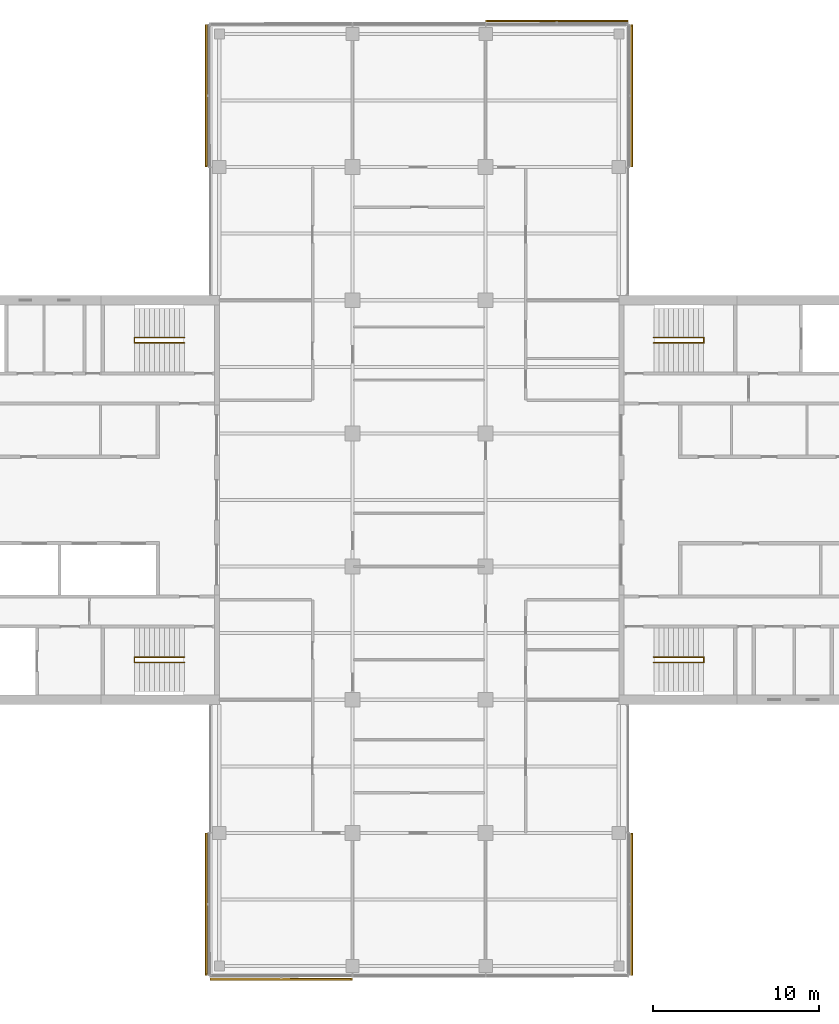
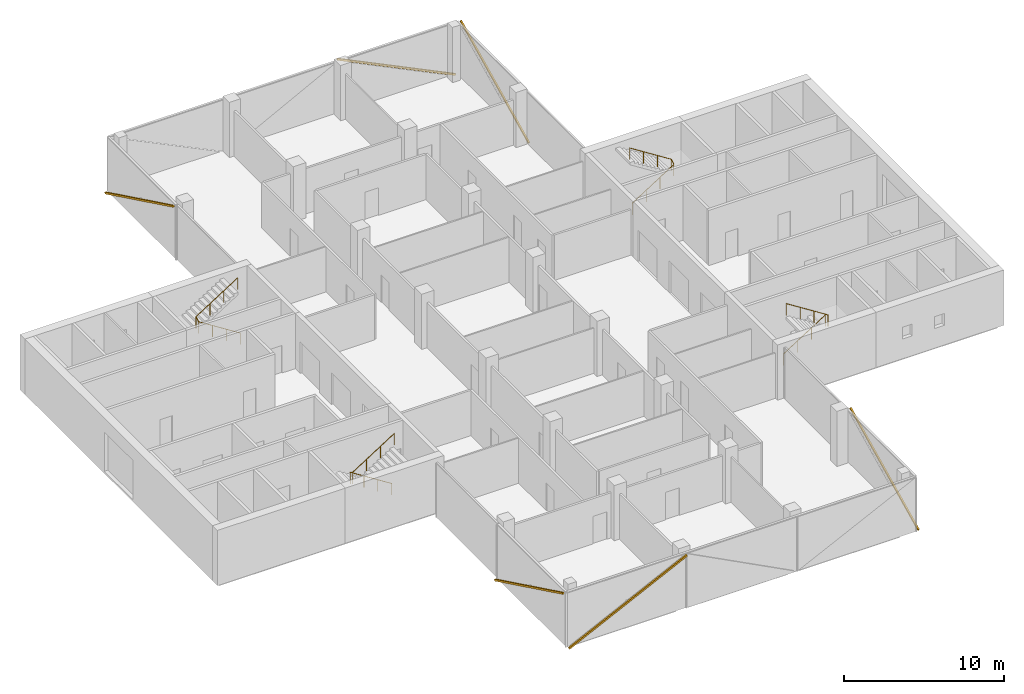
# One storey, part 15 of 15: 6 shading devices, 4 railings, 6 elements without a shape of their own.
"""IFC4 building model written with IfcOpenShell, lengths in metres."""

from ifc_helpers import new_model, si_unit, direction, frame, origin, origin_2d, place, context, subcontext, project, spatial, rectangle, circle, extrude, material, material_profile, profile_set, type_object, element, aggregate, save


model = new_model("IFC4")

# Units and contexts
model_context = context("Model", 3, precision=1e-05, world=origin(), true_north=direction((0.0, 1.0)))
body_context = subcontext(model_context, "Body", "Model", "MODEL_VIEW")
ifc_project = project(units=[si_unit("LENGTHUNIT", "METRE"), si_unit("AREAUNIT", "SQUARE_METRE"), si_unit("VOLUMEUNIT", "CUBIC_METRE"), si_unit("PLANEANGLEUNIT", "RADIAN"), si_unit("MASSUNIT", "GRAM", prefix="KILO")], contexts=[model_context])

# Site, building, storey
site_placement = place(None, origin())
site = spatial("IfcSite", under=ifc_project, at=site_placement, CompositionType="ELEMENT")
building_placement = place(site_placement, origin())
building = spatial("IfcBuilding", under=site, at=building_placement, Name="Crosswind Convention Tower", CompositionType="ELEMENT")
storey_placement = place(building_placement, frame((0.0, 0.0, 199.89990234375)))
storey = spatial("IfcBuildingStorey", under=building, at=storey_placement, Name="L42", CompositionType="ELEMENT", Elevation=199.89990234375)

# Railings
ifc_material_1 = material(Name="Stainless steel", Category="steel")
railing_type = type_object("IfcRailingType", Name="Stair handrail 900", PredefinedType="HANDRAIL", material=ifc_material_1)
railing_1_placement = place(storey_placement, frame((139.10009765625, 109.43994140625, 0.19091796875)))
element("IfcRailing", 1, at=railing_1_placement, inside=storey, type_object=railing_type, Name="Stair ST1 handrail L42", PredefinedType="HANDRAIL", context=body_context, shape_type="SweptSolid", body=[
    extrude(circle(Radius=0.02392578125, at=origin_2d()), frame((0.0, 0.0, 0.8759765625), z_axis=(0.843650179428, 0.0, 0.536893261973), x_axis=(0.0, 1.0, 0.0)), (0.0, 0.0, 1.0), 3.555908203125),
    extrude(circle(Radius=0.02392578125, at=origin_2d()), frame((3.0, 0.0, 2.78515625), z_axis=(0.0, 0.858819504967, 0.512278301208), x_axis=(-1.0, 0.0, 0.0)), (0.0, 0.0, 1.0), 0.372802734375),
    extrude(circle(Radius=0.02392578125, at=origin_2d()), frame((3.0, 0.320068359375, 2.97607421875), z_axis=(-0.843650179428, 0.0, 0.536893261973), x_axis=(0.0, -1.0, 0.0)), (0.0, 0.0, 1.0), 3.555908203125),
    extrude(circle(Radius=0.02099609375, at=origin_2d()), origin(), (0.0, 0.0, 1.0), 0.851806640625),
    extrude(circle(Radius=0.02099609375, at=origin_2d()), frame((1.0, 0.0, 0.636474609375)), (0.0, 0.0, 1.0), 0.851806640625),
    extrude(circle(Radius=0.02099609375, at=origin_2d()), frame((2.0, 0.0, 1.272705078125)), (0.0, 0.0, 1.0), 0.851806640625),
    extrude(circle(Radius=0.02099609375, at=origin_2d()), frame((3.0, 0.0, 1.9091796875)), (0.0, 0.0, 1.0), 0.851806640625),
    extrude(circle(Radius=0.02099609375, at=origin_2d()), frame((3.0, 0.320068359375, 2.10009765625)), (0.0, 0.0, 1.0), 0.851806640625),
    extrude(circle(Radius=0.02099609375, at=origin_2d()), frame((2.0, 0.320068359375, 2.736572265625)), (0.0, 0.0, 1.0), 0.851806640625),
    extrude(circle(Radius=0.02099609375, at=origin_2d()), frame((1.0, 0.320068359375, 3.372802734375)), (0.0, 0.0, 1.0), 0.851806640625),
    extrude(circle(Radius=0.02099609375, at=origin_2d()), frame((0.0, 0.320068359375, 4.00927734375)), (0.0, 0.0, 1.0), 0.851806640625),
])
railing_2_placement = place(storey_placement, frame((139.10009765625, 90.56005859375, 0.19091796875)))
element("IfcRailing", 2, at=railing_2_placement, inside=storey, type_object=railing_type, Name="Stair ST2 handrail L42", PredefinedType="HANDRAIL", context=body_context, shape_type="SweptSolid", body=[
    extrude(circle(Radius=0.02392578125, at=origin_2d()), frame((0.0, 0.0, 0.8759765625), z_axis=(0.843650179428, 0.0, 0.536893261973), x_axis=(0.0, 1.0, 0.0)), (0.0, 0.0, 1.0), 3.555908203125),
    extrude(circle(Radius=0.02392578125, at=origin_2d()), frame((3.0, 0.0, 2.78515625), z_axis=(0.0, -0.858819504967, 0.512278301208), x_axis=(1.0, 0.0, 0.0)), (0.0, 0.0, 1.0), 0.372802734375),
    extrude(circle(Radius=0.02392578125, at=origin_2d()), frame((3.0, -0.320068359375, 2.97607421875), z_axis=(-0.843650179428, 0.0, 0.536893261973), x_axis=(0.0, -1.0, 0.0)), (0.0, 0.0, 1.0), 3.555908203125),
    extrude(circle(Radius=0.02099609375, at=origin_2d()), origin(), (0.0, 0.0, 1.0), 0.851806640625),
    extrude(circle(Radius=0.02099609375, at=origin_2d()), frame((1.0, 0.0, 0.636474609375)), (0.0, 0.0, 1.0), 0.851806640625),
    extrude(circle(Radius=0.02099609375, at=origin_2d()), frame((2.0, 0.0, 1.272705078125)), (0.0, 0.0, 1.0), 0.851806640625),
    extrude(circle(Radius=0.02099609375, at=origin_2d()), frame((3.0, 0.0, 1.9091796875)), (0.0, 0.0, 1.0), 0.851806640625),
    extrude(circle(Radius=0.02099609375, at=origin_2d()), frame((3.0, -0.320068359375, 2.10009765625)), (0.0, 0.0, 1.0), 0.851806640625),
    extrude(circle(Radius=0.02099609375, at=origin_2d()), frame((2.0, -0.320068359375, 2.736572265625)), (0.0, 0.0, 1.0), 0.851806640625),
    extrude(circle(Radius=0.02099609375, at=origin_2d()), frame((1.0, -0.320068359375, 3.372802734375)), (0.0, 0.0, 1.0), 0.851806640625),
    extrude(circle(Radius=0.02099609375, at=origin_2d()), frame((0.0, -0.320068359375, 4.00927734375)), (0.0, 0.0, 1.0), 0.851806640625),
])
railing_3_placement = place(storey_placement, frame((110.89990234375, 90.56005859375, 0.19091796875)))
element("IfcRailing", 3, at=railing_3_placement, inside=storey, type_object=railing_type, Name="Stair ST3 handrail L42", PredefinedType="HANDRAIL", context=body_context, shape_type="SweptSolid", body=[
    extrude(circle(Radius=0.02392578125, at=origin_2d()), frame((0.0, 0.0, 0.8759765625), z_axis=(-0.843650179428, 0.0, 0.536893261973), x_axis=(0.0, -1.0, 0.0)), (0.0, 0.0, 1.0), 3.555908203125),
    extrude(circle(Radius=0.02392578125, at=origin_2d()), frame((-3.0, 0.0, 2.78515625), z_axis=(0.0, -0.858819504967, 0.512278301208), x_axis=(1.0, 0.0, 0.0)), (0.0, 0.0, 1.0), 0.372802734375),
    extrude(circle(Radius=0.02392578125, at=origin_2d()), frame((-3.0, -0.320068359375, 2.97607421875), z_axis=(0.843650179428, 0.0, 0.536893261973), x_axis=(0.0, 1.0, 0.0)), (0.0, 0.0, 1.0), 3.555908203125),
    extrude(circle(Radius=0.02099609375, at=origin_2d()), origin(), (0.0, 0.0, 1.0), 0.851806640625),
    extrude(circle(Radius=0.02099609375, at=origin_2d()), frame((-1.0, 0.0, 0.636474609375)), (0.0, 0.0, 1.0), 0.851806640625),
    extrude(circle(Radius=0.02099609375, at=origin_2d()), frame((-2.0, 0.0, 1.272705078125)), (0.0, 0.0, 1.0), 0.851806640625),
    extrude(circle(Radius=0.02099609375, at=origin_2d()), frame((-3.0, 0.0, 1.9091796875)), (0.0, 0.0, 1.0), 0.851806640625),
    extrude(circle(Radius=0.02099609375, at=origin_2d()), frame((-3.0, -0.320068359375, 2.10009765625)), (0.0, 0.0, 1.0), 0.851806640625),
    extrude(circle(Radius=0.02099609375, at=origin_2d()), frame((-2.0, -0.320068359375, 2.736572265625)), (0.0, 0.0, 1.0), 0.851806640625),
    extrude(circle(Radius=0.02099609375, at=origin_2d()), frame((-1.0, -0.320068359375, 3.372802734375)), (0.0, 0.0, 1.0), 0.851806640625),
    extrude(circle(Radius=0.02099609375, at=origin_2d()), frame((0.0, -0.320068359375, 4.00927734375)), (0.0, 0.0, 1.0), 0.851806640625),
])
railing_4_placement = place(storey_placement, frame((110.89990234375, 109.43994140625, 0.19091796875)))
element("IfcRailing", 4, at=railing_4_placement, inside=storey, type_object=railing_type, Name="Stair ST4 handrail L42", PredefinedType="HANDRAIL", context=body_context, shape_type="SweptSolid", body=[
    extrude(circle(Radius=0.02392578125, at=origin_2d()), frame((0.0, 0.0, 0.8759765625), z_axis=(-0.843650179428, 0.0, 0.536893261973), x_axis=(0.0, -1.0, 0.0)), (0.0, 0.0, 1.0), 3.555908203125),
    extrude(circle(Radius=0.02392578125, at=origin_2d()), frame((-3.0, 0.0, 2.78515625), z_axis=(0.0, 0.858819504967, 0.512278301208), x_axis=(-1.0, 0.0, 0.0)), (0.0, 0.0, 1.0), 0.372802734375),
    extrude(circle(Radius=0.02392578125, at=origin_2d()), frame((-3.0, 0.320068359375, 2.97607421875), z_axis=(0.843650179428, 0.0, 0.536893261973), x_axis=(0.0, 1.0, 0.0)), (0.0, 0.0, 1.0), 3.555908203125),
    extrude(circle(Radius=0.02099609375, at=origin_2d()), origin(), (0.0, 0.0, 1.0), 0.851806640625),
    extrude(circle(Radius=0.02099609375, at=origin_2d()), frame((-1.0, 0.0, 0.636474609375)), (0.0, 0.0, 1.0), 0.851806640625),
    extrude(circle(Radius=0.02099609375, at=origin_2d()), frame((-2.0, 0.0, 1.272705078125)), (0.0, 0.0, 1.0), 0.851806640625),
    extrude(circle(Radius=0.02099609375, at=origin_2d()), frame((-3.0, 0.0, 1.9091796875)), (0.0, 0.0, 1.0), 0.851806640625),
    extrude(circle(Radius=0.02099609375, at=origin_2d()), frame((-3.0, 0.320068359375, 2.10009765625)), (0.0, 0.0, 1.0), 0.851806640625),
    extrude(circle(Radius=0.02099609375, at=origin_2d()), frame((-2.0, 0.320068359375, 2.736572265625)), (0.0, 0.0, 1.0), 0.851806640625),
    extrude(circle(Radius=0.02099609375, at=origin_2d()), frame((-1.0, 0.320068359375, 3.372802734375)), (0.0, 0.0, 1.0), 0.851806640625),
    extrude(circle(Radius=0.02099609375, at=origin_2d()), frame((0.0, 0.320068359375, 4.00927734375)), (0.0, 0.0, 1.0), 0.851806640625),
])

# Curtain wall, shading device
ifc_material_2 = material(Name="Aluminium unitised curtain wall", Category="aluminium")
curtain_wall_type = type_object("IfcCurtainWallType", Name="OFFICE UNITISED WALL 220", PredefinedType="USERDEFINED", material=ifc_material_2)
curtain_wall_1_placement = place(storey_placement, origin())
curtain_wall_1 = element("IfcCurtainWall", 5, at=curtain_wall_1_placement, inside=storey, type_object=curtain_wall_type, Name="CW3 L42 N-E 1", ObjectType="UNITISED", PredefinedType="USERDEFINED")
ifc_material_3 = material(Name="Extruded terracotta", Category="masonry")
ifc_material_profile = material_profile(ifc_material_3, rectangle(XDim=0.110107421875, YDim=0.1298828125, at=origin_2d()), Name="TC 110X130")
ifc_profile_set = profile_set([ifc_material_profile], Name="Extruded terracotta")
shading_device_type = type_object("IfcShadingDeviceType", Name="TERRACOTTA BAGUETTE 130X110", PredefinedType="USERDEFINED", material=ifc_profile_set)
shading_device_1_placement = place(storey_placement, frame((137.781005859375, 120.034912109375, -0.2998046875), z_axis=(0.0, 0.899251034354, 0.437432940248), x_axis=(-1.0, 0.0, 0.0)))
shading_device_1 = element("IfcShadingDevice", 6, at=shading_device_1_placement, type_object=shading_device_type, Name="CW3 terracotta baguette 1", ObjectType="BAGUETTE", PredefinedType="USERDEFINED", context=body_context, shape_type="SweptSolid", body=[
    extrude(rectangle(XDim=0.110107421875, YDim=0.1298828125, at=origin_2d()), origin(), (0.0, 0.0, 1.0), 9.441162109375),
])
aggregate(curtain_wall_1, [shading_device_1])

curtain_wall_2_placement = place(storey_placement, origin())
curtain_wall_2 = element("IfcCurtainWall", 7, at=curtain_wall_2_placement, inside=storey, type_object=curtain_wall_type, Name="CW3 L42 N-TIP 1", ObjectType="UNITISED", PredefinedType="USERDEFINED")
shading_device_2_placement = place(storey_placement, frame((137.52490234375, 128.781005859375, -0.2998046875), z_axis=(-0.899251034354, 0.0, 0.437432940248), x_axis=(0.0, -1.0, 0.0)))
shading_device_2 = element("IfcShadingDevice", 8, at=shading_device_2_placement, type_object=shading_device_type, Name="CW3 terracotta baguette 1", ObjectType="BAGUETTE", PredefinedType="USERDEFINED", context=body_context, shape_type="SweptSolid", body=[
    extrude(rectangle(XDim=0.110107421875, YDim=0.1298828125, at=origin_2d()), origin(), (0.0, 0.0, 1.0), 9.441162109375),
])
aggregate(curtain_wall_2, [shading_device_2])

curtain_wall_3_placement = place(storey_placement, origin())
curtain_wall_3 = element("IfcCurtainWall", 9, at=curtain_wall_3_placement, inside=storey, type_object=curtain_wall_type, Name="CW3 L42 N-W 1", ObjectType="UNITISED", PredefinedType="USERDEFINED")
shading_device_3_placement = place(storey_placement, frame((112.218994140625, 128.52490234375, -0.2998046875), z_axis=(0.0, -0.899251034354, 0.437432940248), x_axis=(1.0, 0.0, 0.0)))
shading_device_3 = element("IfcShadingDevice", 10, at=shading_device_3_placement, type_object=shading_device_type, Name="CW3 terracotta baguette 1", ObjectType="BAGUETTE", PredefinedType="USERDEFINED", context=body_context, shape_type="SweptSolid", body=[
    extrude(rectangle(XDim=0.110107421875, YDim=0.1298828125, at=origin_2d()), origin(), (0.0, 0.0, 1.0), 9.441162109375),
])
aggregate(curtain_wall_3, [shading_device_3])

curtain_wall_4_placement = place(storey_placement, origin())
curtain_wall_4 = element("IfcCurtainWall", 11, at=curtain_wall_4_placement, inside=storey, type_object=curtain_wall_type, Name="CW3 L42 S-W 1", ObjectType="UNITISED", PredefinedType="USERDEFINED")
shading_device_4_placement = place(storey_placement, frame((112.218994140625, 79.965087890625, -0.2998046875), z_axis=(0.0, -0.899251034354, 0.437432940248), x_axis=(1.0, 0.0, 0.0)))
shading_device_4 = element("IfcShadingDevice", 12, at=shading_device_4_placement, type_object=shading_device_type, Name="CW3 terracotta baguette 1", ObjectType="BAGUETTE", PredefinedType="USERDEFINED", context=body_context, shape_type="SweptSolid", body=[
    extrude(rectangle(XDim=0.110107421875, YDim=0.1298828125, at=origin_2d()), origin(), (0.0, 0.0, 1.0), 9.441162109375),
])
aggregate(curtain_wall_4, [shading_device_4])

curtain_wall_5_placement = place(storey_placement, origin())
curtain_wall_5 = element("IfcCurtainWall", 13, at=curtain_wall_5_placement, inside=storey, type_object=curtain_wall_type, Name="CW3 L42 S-TIP 1", ObjectType="UNITISED", PredefinedType="USERDEFINED")
shading_device_5_placement = place(storey_placement, frame((112.47509765625, 71.218994140625, -0.2998046875), z_axis=(0.899251034354, 0.0, 0.437432940248), x_axis=(0.0, 1.0, 0.0)))
shading_device_5 = element("IfcShadingDevice", 14, at=shading_device_5_placement, type_object=shading_device_type, Name="CW3 terracotta baguette 1", ObjectType="BAGUETTE", PredefinedType="USERDEFINED", context=body_context, shape_type="SweptSolid", body=[
    extrude(rectangle(XDim=0.110107421875, YDim=0.1298828125, at=origin_2d()), origin(), (0.0, 0.0, 1.0), 9.441162109375),
])
aggregate(curtain_wall_5, [shading_device_5])

curtain_wall_6_placement = place(storey_placement, origin())
curtain_wall_6 = element("IfcCurtainWall", 15, at=curtain_wall_6_placement, inside=storey, type_object=curtain_wall_type, Name="CW3 L42 S-E 1", ObjectType="UNITISED", PredefinedType="USERDEFINED")
shading_device_6_placement = place(storey_placement, frame((137.781005859375, 71.47509765625, -0.2998046875), z_axis=(0.0, 0.899251034354, 0.437432940248), x_axis=(-1.0, 0.0, 0.0)))
shading_device_6 = element("IfcShadingDevice", 16, at=shading_device_6_placement, type_object=shading_device_type, Name="CW3 terracotta baguette 1", ObjectType="BAGUETTE", PredefinedType="USERDEFINED", context=body_context, shape_type="SweptSolid", body=[
    extrude(rectangle(XDim=0.110107421875, YDim=0.1298828125, at=origin_2d()), origin(), (0.0, 0.0, 1.0), 9.441162109375),
])
aggregate(curtain_wall_6, [shading_device_6])

save(model, "model.ifc")
